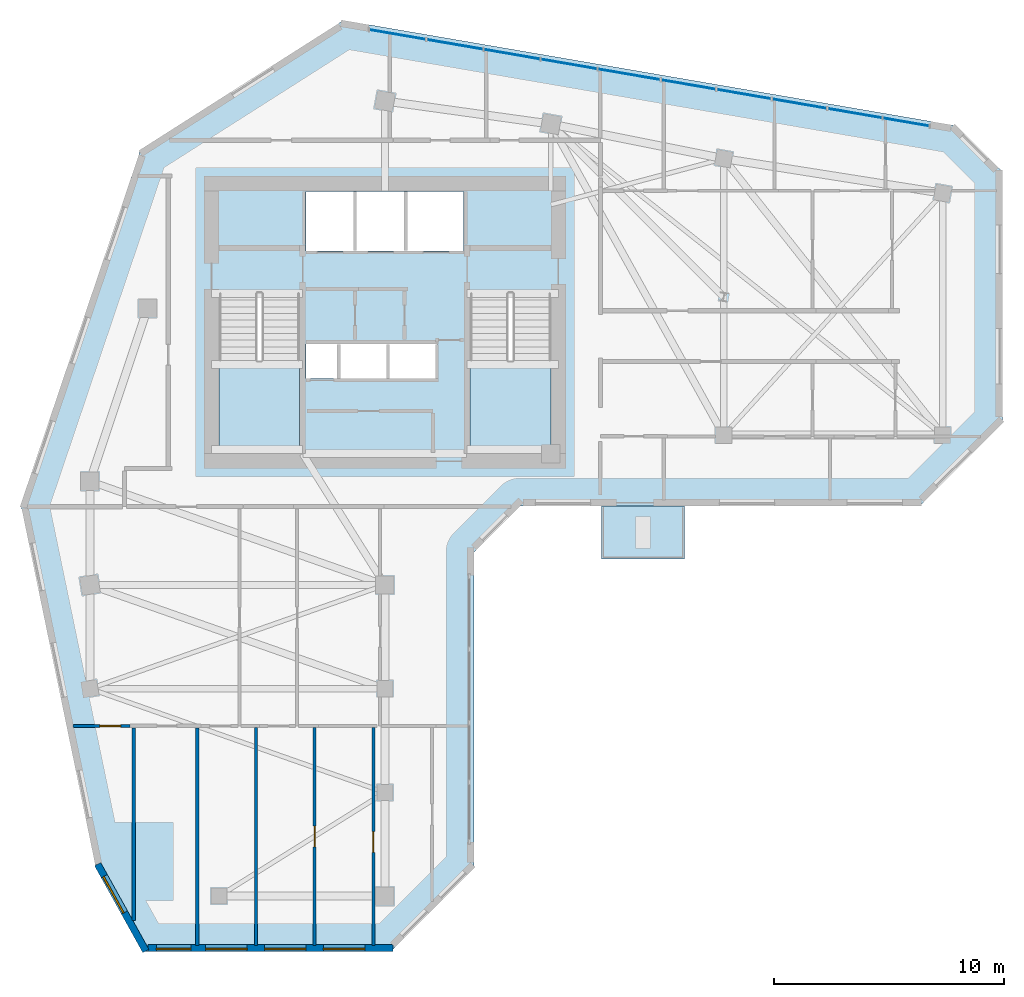
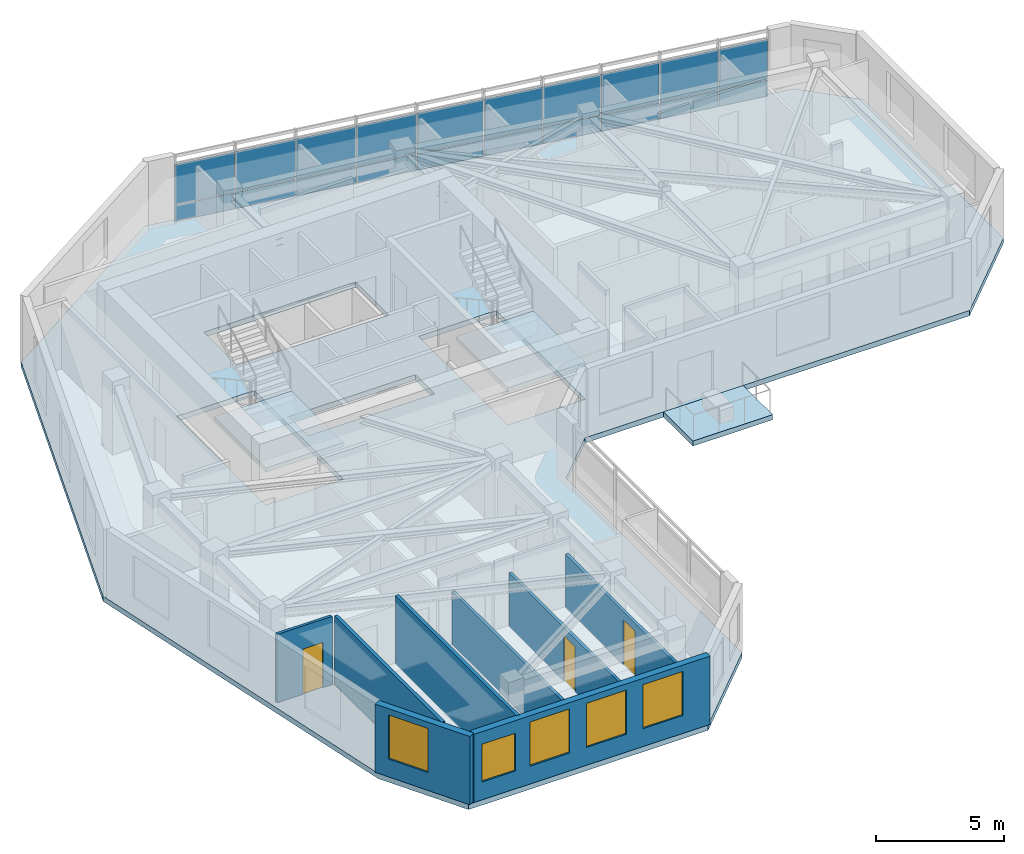
# One storey, part 4 of 11: 20 plates, 8 walls, 5 windows, 4 slabs, 3 doors, 8 openings, 3 elements without a shape of their own.
"""IFC4 building model written with IfcOpenShell, lengths in metres."""

from ifc_helpers import new_model, si_unit, direction, frame, frame_2d, origin, place, context, subcontext, project, spatial, polyline, rectangle, outline, extrude, source, transform, mapped, material, layer, layer_set, type_object, element, fill, aggregate, save


model = new_model("IFC4")

# Units and contexts
model_context = context("Model", 3, precision=1e-05, world=origin(), true_north=direction((0.0, 1.0)))
body_context = subcontext(model_context, "Body", "Model", "MODEL_VIEW")
ifc_project = project(units=[si_unit("LENGTHUNIT", "METRE"), si_unit("AREAUNIT", "SQUARE_METRE"), si_unit("VOLUMEUNIT", "CUBIC_METRE"), si_unit("PLANEANGLEUNIT", "RADIAN"), si_unit("MASSUNIT", "GRAM", prefix="KILO")], contexts=[model_context])

# Site, building, storey
site_placement = place(None, origin())
site = spatial("IfcSite", under=ifc_project, at=site_placement, CompositionType="ELEMENT")
building_placement = place(site_placement, origin())
building = spatial("IfcBuilding", under=site, at=building_placement, Name="Calvemar Wedge Station Tower", CompositionType="ELEMENT")
storey_placement = place(building_placement, frame((0.0, 0.0, 186.89990234375)))
storey = spatial("IfcBuildingStorey", under=building, at=storey_placement, Name="L46", CompositionType="ELEMENT", Elevation=186.89990234375)

# Curtain wall, plates
ifc_material_1 = material(Name="Anodised aluminium 6063-T6", Category="aluminium")
curtain_wall_type = type_object("IfcCurtainWallType", Name="CW3", PredefinedType="NOTDEFINED", material=ifc_material_1)
curtain_wall_placement = place(storey_placement, origin())
curtain_wall = element("IfcCurtainWall", 1, at=curtain_wall_placement, inside=storey, type_object=curtain_wall_type, Name="Storey L46 CW3 Recessed Unitised Curtain Wall 10", PredefinedType="NOTDEFINED")
ifc_material_2 = material(Name="Low-E laminated insulated glass", Category="glass")
ifc_layer_1 = layer(ifc_material_2, 0.028076171875)
ifc_layer_set_1 = layer_set([ifc_layer_1], Name="Low-E laminated insulated glass")
plate_type_1 = type_object("IfcPlateType", Name="CW3-GLZ", PredefinedType="CURTAIN_PANEL", material=ifc_layer_set_1)
plate_1_placement = place(storey_placement, frame((47.415771484375, 48.414794921875, 0.8701171875), z_axis=(0.0, 0.0, 1.0), x_axis=(-0.985540432015, 0.169440422758, 0.0)))
plate_1 = element("IfcPlate", 2, at=plate_1_placement, type_object=plate_type_1, Name="CW3 vision glass panel 1", PredefinedType="CURTAIN_PANEL", context=body_context, shape_type="SweptSolid", body=[
    extrude(rectangle(XDim=2.032958984375, YDim=0.028076171875, at=frame_2d((1.0166015625, 0.0))), origin(), (0.0, 0.0, 1.0), 1.909912109375),
])
plate_2_placement = place(storey_placement, frame((45.376708984375, 48.765380859375, 0.8701171875), z_axis=(0.0, 0.0, 1.0), x_axis=(-0.985524518475, 0.169532956928, 0.0)))
plate_2 = element("IfcPlate", 3, at=plate_2_placement, type_object=plate_type_1, Name="CW3 vision glass panel 2", PredefinedType="CURTAIN_PANEL", context=body_context, shape_type="SweptSolid", body=[
    extrude(rectangle(XDim=2.405029296875, YDim=0.028076171875, at=frame_2d((1.20263671875, 0.0))), origin(), (0.0, 0.0, 1.0), 1.909912109375),
])
plate_3_placement = place(storey_placement, frame((42.970947265625, 49.17919921875, 0.8701171875), z_axis=(0.0, 0.0, 1.0), x_axis=(-0.985521600301, 0.169549919904, 0.0)))
plate_3 = element("IfcPlate", 4, at=plate_3_placement, type_object=plate_type_1, Name="CW3 vision glass panel 3", PredefinedType="CURTAIN_PANEL", context=body_context, shape_type="SweptSolid", body=[
    extrude(rectangle(XDim=2.40478515625, YDim=0.028076171875, at=frame_2d((1.202392578125, 0.0))), origin(), (0.0, 0.0, 1.0), 1.909912109375),
])
plate_4_placement = place(storey_placement, frame((40.565673828125, 49.593017578125, 0.8701171875), z_axis=(0.0, 0.0, 1.0), x_axis=(-0.985513392938, 0.169597618908, 0.0)))
plate_4 = element("IfcPlate", 5, at=plate_4_placement, type_object=plate_type_1, Name="CW3 vision glass panel 4", PredefinedType="CURTAIN_PANEL", context=body_context, shape_type="SweptSolid", body=[
    extrude(rectangle(XDim=2.405517578125, YDim=0.028076171875, at=frame_2d((1.20263671875, 0.0))), origin(), (0.0, 0.0, 1.0), 1.909912109375),
])
plate_5_placement = place(storey_placement, frame((38.15966796875, 50.007080078125, 0.8701171875), z_axis=(0.0, 0.0, 1.0), x_axis=(-0.985530352195, 0.169499041006, 0.0)))
plate_5 = element("IfcPlate", 6, at=plate_5_placement, type_object=plate_type_1, Name="CW3 vision glass panel 5", PredefinedType="CURTAIN_PANEL", context=body_context, shape_type="SweptSolid", body=[
    extrude(rectangle(XDim=2.405517578125, YDim=0.028076171875, at=frame_2d((1.20263671875, 0.0))), origin(), (0.0, 0.0, 1.0), 1.909912109375),
])
plate_6_placement = place(storey_placement, frame((35.753662109375, 50.4208984375, 0.8701171875), z_axis=(0.0, 0.0, 1.0), x_axis=(-0.985520439195, 0.169556668781, 0.0)))
plate_6 = element("IfcPlate", 7, at=plate_6_placement, type_object=plate_type_1, Name="CW3 vision glass panel 6", PredefinedType="CURTAIN_PANEL", context=body_context, shape_type="SweptSolid", body=[
    extrude(rectangle(XDim=2.75439453125, YDim=0.028076171875, at=frame_2d((1.377197265625, 0.0))), origin(), (0.0, 0.0, 1.0), 1.909912109375),
])
plate_7_placement = place(storey_placement, frame((33.003662109375, 50.89404296875, 0.8701171875), z_axis=(0.0, 0.0, 1.0), x_axis=(-0.985522121529, 0.169546890203, 0.0)))
plate_7 = element("IfcPlate", 8, at=plate_7_placement, type_object=plate_type_1, Name="CW3 vision glass panel 7", PredefinedType="CURTAIN_PANEL", context=body_context, shape_type="SweptSolid", body=[
    extrude(rectangle(XDim=2.475341796875, YDim=0.028076171875, at=frame_2d((1.23779296875, 0.0))), origin(), (0.0, 0.0, 1.0), 1.909912109375),
])
plate_8_placement = place(storey_placement, frame((30.528564453125, 51.319580078125, 0.8701171875), z_axis=(0.0, 0.0, 1.0), x_axis=(-0.985505636657, 0.169642683652, 0.0)))
plate_8 = element("IfcPlate", 9, at=plate_8_placement, type_object=plate_type_1, Name="CW3 vision glass panel 8", PredefinedType="CURTAIN_PANEL", context=body_context, shape_type="SweptSolid", body=[
    extrude(rectangle(XDim=2.475341796875, YDim=0.028076171875, at=frame_2d((1.23779296875, 0.0))), origin(), (0.0, 0.0, 1.0), 1.909912109375),
])
plate_9_placement = place(storey_placement, frame((28.0537109375, 51.74560546875, 0.8701171875), z_axis=(0.0, 0.0, 1.0), x_axis=(-0.98553324407, 0.169482225713, 0.0)))
plate_9 = element("IfcPlate", 10, at=plate_9_placement, type_object=plate_type_1, Name="CW3 vision glass panel 9", PredefinedType="CURTAIN_PANEL", context=body_context, shape_type="SweptSolid", body=[
    extrude(rectangle(XDim=2.4833984375, YDim=0.028076171875, at=frame_2d((1.24169921875, 0.0))), origin(), (0.0, 0.0, 1.0), 1.909912109375),
])
plate_10_placement = place(storey_placement, frame((25.57080078125, 52.172607421875, 0.8701171875), z_axis=(0.0, 0.0, 1.0), x_axis=(-0.985516819371, 0.169577707074, 0.0)))
plate_10 = element("IfcPlate", 11, at=plate_10_placement, type_object=plate_type_1, Name="CW3 vision glass panel 10", PredefinedType="CURTAIN_PANEL", context=body_context, shape_type="SweptSolid", body=[
    extrude(rectangle(XDim=2.4833984375, YDim=0.028076171875, at=frame_2d((1.24169921875, 0.0))), origin(), (0.0, 0.0, 1.0), 1.909912109375),
])
ifc_material_3 = material(Name="Oxidized bronze aluminium spandrel panel 5005-H24", Category="aluminium")
ifc_layer_2 = layer(ifc_material_3, 0.0400390625)
ifc_layer_set_2 = layer_set([ifc_layer_2], Name="Oxidized bronze aluminium spandrel panel 5005-H24")
plate_type_2 = type_object("IfcPlateType", Name="CW3-SPD", PredefinedType="SHEET", material=ifc_layer_set_2)
plate_11_placement = place(storey_placement, frame((47.415771484375, 48.414794921875, 0.080078125), z_axis=(0.0, 0.0, 1.0), x_axis=(-0.985540432015, 0.169440422758, 0.0)))
plate_11 = element("IfcPlate", 12, at=plate_11_placement, type_object=plate_type_2, Name="CW3 bronze spandrel panel 1", PredefinedType="SHEET", context=body_context, shape_type="SweptSolid", body=[
    extrude(rectangle(XDim=2.032958984375, YDim=0.0400390625, at=frame_2d((1.0166015625, 0.0))), origin(), (0.0, 0.0, 1.0), 0.75),
])
plate_12_placement = place(storey_placement, frame((45.376708984375, 48.765380859375, 0.080078125), z_axis=(0.0, 0.0, 1.0), x_axis=(-0.985524518475, 0.169532956928, 0.0)))
plate_12 = element("IfcPlate", 13, at=plate_12_placement, type_object=plate_type_2, Name="CW3 bronze spandrel panel 2", PredefinedType="SHEET", context=body_context, shape_type="SweptSolid", body=[
    extrude(rectangle(XDim=2.405029296875, YDim=0.0400390625, at=frame_2d((1.20263671875, 0.0))), origin(), (0.0, 0.0, 1.0), 0.75),
])
plate_13_placement = place(storey_placement, frame((42.970947265625, 49.17919921875, 0.080078125), z_axis=(0.0, 0.0, 1.0), x_axis=(-0.985521600301, 0.169549919904, 0.0)))
plate_13 = element("IfcPlate", 14, at=plate_13_placement, type_object=plate_type_2, Name="CW3 bronze spandrel panel 3", PredefinedType="SHEET", context=body_context, shape_type="SweptSolid", body=[
    extrude(rectangle(XDim=2.40478515625, YDim=0.0400390625, at=frame_2d((1.202392578125, 0.0))), origin(), (0.0, 0.0, 1.0), 0.75),
])
plate_14_placement = place(storey_placement, frame((40.565673828125, 49.593017578125, 0.080078125), z_axis=(0.0, 0.0, 1.0), x_axis=(-0.985513392938, 0.169597618908, 0.0)))
plate_14 = element("IfcPlate", 15, at=plate_14_placement, type_object=plate_type_2, Name="CW3 bronze spandrel panel 4", PredefinedType="SHEET", context=body_context, shape_type="SweptSolid", body=[
    extrude(rectangle(XDim=2.405517578125, YDim=0.0400390625, at=frame_2d((1.20263671875, 0.0))), origin(), (0.0, 0.0, 1.0), 0.75),
])
plate_15_placement = place(storey_placement, frame((38.15966796875, 50.007080078125, 0.080078125), z_axis=(0.0, 0.0, 1.0), x_axis=(-0.985530352195, 0.169499041006, 0.0)))
plate_15 = element("IfcPlate", 16, at=plate_15_placement, type_object=plate_type_2, Name="CW3 bronze spandrel panel 5", PredefinedType="SHEET", context=body_context, shape_type="SweptSolid", body=[
    extrude(rectangle(XDim=2.405517578125, YDim=0.0400390625, at=frame_2d((1.20263671875, 0.0))), origin(), (0.0, 0.0, 1.0), 0.75),
])
plate_16_placement = place(storey_placement, frame((35.753662109375, 50.4208984375, 0.080078125), z_axis=(0.0, 0.0, 1.0), x_axis=(-0.985520439195, 0.169556668781, 0.0)))
plate_16 = element("IfcPlate", 17, at=plate_16_placement, type_object=plate_type_2, Name="CW3 bronze spandrel panel 6", PredefinedType="SHEET", context=body_context, shape_type="SweptSolid", body=[
    extrude(rectangle(XDim=2.75439453125, YDim=0.0400390625, at=frame_2d((1.377197265625, 0.0))), origin(), (0.0, 0.0, 1.0), 0.75),
])
plate_17_placement = place(storey_placement, frame((33.003662109375, 50.89404296875, 0.080078125), z_axis=(0.0, 0.0, 1.0), x_axis=(-0.985522121529, 0.169546890203, 0.0)))
plate_17 = element("IfcPlate", 18, at=plate_17_placement, type_object=plate_type_2, Name="CW3 bronze spandrel panel 7", PredefinedType="SHEET", context=body_context, shape_type="SweptSolid", body=[
    extrude(rectangle(XDim=2.475341796875, YDim=0.0400390625, at=frame_2d((1.23779296875, 0.0))), origin(), (0.0, 0.0, 1.0), 0.75),
])
plate_18_placement = place(storey_placement, frame((30.528564453125, 51.319580078125, 0.080078125), z_axis=(0.0, 0.0, 1.0), x_axis=(-0.985505636657, 0.169642683652, 0.0)))
plate_18 = element("IfcPlate", 19, at=plate_18_placement, type_object=plate_type_2, Name="CW3 bronze spandrel panel 8", PredefinedType="SHEET", context=body_context, shape_type="SweptSolid", body=[
    extrude(rectangle(XDim=2.475341796875, YDim=0.0400390625, at=frame_2d((1.23779296875, 0.0))), origin(), (0.0, 0.0, 1.0), 0.75),
])
plate_19_placement = place(storey_placement, frame((28.0537109375, 51.74560546875, 0.080078125), z_axis=(0.0, 0.0, 1.0), x_axis=(-0.98553324407, 0.169482225713, 0.0)))
plate_19 = element("IfcPlate", 20, at=plate_19_placement, type_object=plate_type_2, Name="CW3 bronze spandrel panel 9", PredefinedType="SHEET", context=body_context, shape_type="SweptSolid", body=[
    extrude(rectangle(XDim=2.4833984375, YDim=0.0400390625, at=frame_2d((1.24169921875, 0.0))), origin(), (0.0, 0.0, 1.0), 0.75),
])
plate_20_placement = place(storey_placement, frame((25.57080078125, 52.172607421875, 0.080078125), z_axis=(0.0, 0.0, 1.0), x_axis=(-0.985516819371, 0.169577707074, 0.0)))
plate_20 = element("IfcPlate", 21, at=plate_20_placement, type_object=plate_type_2, Name="CW3 bronze spandrel panel 10", PredefinedType="SHEET", context=body_context, shape_type="SweptSolid", body=[
    extrude(rectangle(XDim=2.4833984375, YDim=0.0400390625, at=frame_2d((1.24169921875, 0.0))), origin(), (0.0, 0.0, 1.0), 0.75),
])
aggregate(curtain_wall, [plate_11, plate_1, plate_12, plate_2, plate_13, plate_3, plate_14, plate_4, plate_15, plate_5, plate_16, plate_6, plate_17, plate_7, plate_18, plate_8, plate_19, plate_9, plate_20, plate_10])

# Stair, slab
ifc_material_4 = material(Name="Concrete C45", Category="concrete")
stair_type = type_object("IfcStairType", Name="ST-TYPE-3500", PredefinedType="HALF_TURN_STAIR", material=ifc_material_4)
stair_1_placement = place(storey_placement, origin())
stair_1 = element("IfcStair", 22, at=stair_1_placement, inside=storey, type_object=stair_type, Name="L46 Pressurized Core Exit Stair ST-C1", PredefinedType="HALF_TURN_STAIR")
ifc_layer_3 = layer(ifc_material_4, 0.199951171875)
ifc_layer_set_3 = layer_set([ifc_layer_3], Name="Concrete C45")
slab_type_1 = type_object("IfcSlabType", Name="SL-STAIR-LND-200", PredefinedType="LANDING", material=ifc_layer_set_3)
slab_1_placement = place(storey_placement, frame((0.0, 0.0, 1.550048828125)))
slab_1 = element("IfcSlab", 23, at=slab_1_placement, type_object=slab_type_1, Name="ST-C1 landing 1", PredefinedType="LANDING", context=body_context, shape_type="SweptSolid", body=[
    extrude(outline(polyline([(16.60009765625, 38.25), (16.60009765625, 34.199951171875), (20.10009765625, 34.199951171875), (20.10009765625, 38.25), (16.60009765625, 38.25)])), origin(), (0.0, 0.0, 1.0), 0.199951171875),
])
aggregate(stair_1, [slab_1])

stair_2_placement = place(storey_placement, origin())
stair_2 = element("IfcStair", 24, at=stair_2_placement, inside=storey, type_object=stair_type, Name="L46 Pressurized Core Exit Stair ST-C2", PredefinedType="HALF_TURN_STAIR")
slab_2_placement = place(storey_placement, frame((0.0, 0.0, 1.550048828125)))
slab_2 = element("IfcSlab", 25, at=slab_2_placement, type_object=slab_type_1, Name="ST-C2 landing 1", PredefinedType="LANDING", context=body_context, shape_type="SweptSolid", body=[
    extrude(outline(polyline([(27.5, 38.25), (27.5, 34.199951171875), (31.0, 34.199951171875), (31.0, 38.25), (27.5, 38.25)])), origin(), (0.0, 0.0, 1.0), 0.199951171875),
])
aggregate(stair_2, [slab_2])

# Slabs
ifc_layer_4 = layer(ifc_material_4, 0.239990234375)
ifc_layer_set_4 = layer_set([ifc_layer_4], Name="Concrete C45")
slab_type_2 = type_object("IfcSlabType", Name="SL-TERR-240", PredefinedType="FLOOR", material=ifc_layer_set_4)
slab_3_placement = place(storey_placement, frame((0.0, 0.0, -0.239990234375)))
element("IfcSlab", 26, at=slab_3_placement, inside=storey, type_object=slab_type_2, Name="Storey L46 Planted Spiral Terrace Slab", PredefinedType="FLOOR", context=body_context, shape_type="SweptSolid", body=[
    extrude(outline(polyline([(33.199951171875, 31.924072265625), (33.199951171875, 29.6240234375), (36.800048828125, 29.6240234375), (36.800048828125, 31.924072265625), (33.199951171875, 31.924072265625)])), origin(), (0.0, 0.0, 1.0), 0.239990234375),
])
ifc_material_5 = material(Name="Concrete C50", Category="concrete")
ifc_layer_5 = layer(ifc_material_5, 0.25)
ifc_layer_set_5 = layer_set([ifc_layer_5], Name="Concrete C50")
slab_type_3 = type_object("IfcSlabType", Name="SL-TYP-250", PredefinedType="FLOOR", material=ifc_layer_set_5)
slab_4_placement = place(storey_placement, frame((0.0, 0.0, -0.25)))
element("IfcSlab", 27, at=slab_4_placement, inside=storey, type_object=slab_type_3, Name="Storey L46 Structural Floor Slab", PredefinedType="FLOOR", context=body_context, shape_type="SweptSolid", body=[
    extrude(outline(polyline([(8.0, 32.0), (11.263916015625, 16.199951171875), (13.263916015625, 12.60009765625), (24.06396484375, 12.60009765625), (27.6640625, 16.199951171875), (27.6640625, 29.924072265625), (29.6640625, 31.924072265625), (47.0, 31.924072265625), (50.60009765625, 35.52392578125), (50.60009765625, 46.424072265625), (48.60009765625, 48.424072265625), (22.0, 53.0), (13.199951171875, 47.39990234375), (8.0, 32.0)]), holes=[polyline([(20.10009765625, 34.199951171875), (20.10009765625, 41.14990234375), (16.60009765625, 41.14990234375), (16.60009765625, 34.199951171875), (20.10009765625, 34.199951171875)]), polyline([(27.5, 34.199951171875), (31.0, 34.199951171875), (31.0, 41.14990234375), (27.5, 41.14990234375), (27.5, 34.199951171875)]), polyline([(21.800048828125, 37.449951171875), (23.929931640625, 37.449951171875), (23.93994140625, 37.449951171875), (26.080078125, 37.449951171875), (26.080078125, 38.949951171875), (23.93994140625, 38.949951171875), (23.929931640625, 38.949951171875), (21.800048828125, 38.949951171875), (21.7900390625, 38.949951171875), (20.3798828125, 38.949951171875), (20.3798828125, 37.449951171875), (21.7900390625, 37.449951171875), (21.800048828125, 37.449951171875)]), polyline([(27.219970703125, 43.0), (27.219970703125, 45.580078125), (20.3798828125, 45.580078125), (20.3798828125, 43.0), (27.219970703125, 43.0)])]), origin(), (0.0, 0.0, 1.0), 0.25),
])

# Wall, opening, window
ifc_material_6 = material(Name="Precast concrete C45", Category="concrete")
ifc_layer_6 = layer(ifc_material_6, 0.300048828125)
ifc_layer_set_6 = layer_set([ifc_layer_6], Name="Precast concrete C45")
wall_type_1 = type_object("IfcWallType", Name="W-EXT-GFRC-300", PredefinedType="SOLIDWALL", material=ifc_layer_set_6)
wall_1_placement = place(storey_placement, frame((11.33349609375, 16.3837890625, 0.0), z_axis=(0.0, 0.0, 1.0), x_axis=(0.485633305139, -0.874162623852, 0.0)))
wall_1 = element("IfcWall", 28, at=wall_1_placement, inside=storey, type_object=wall_type_1, Name="Storey L46 Bronze GFRC Exterior Wall 1", PredefinedType="SOLIDWALL", context=body_context, shape_type="SweptSolid", body=[
    extrude(rectangle(XDim=4.306884765625, YDim=0.300048828125, at=frame_2d((2.1533203125, 0.0))), origin(), (0.0, 0.0, 1.0), 3.25),
])
shared_shape_1 = source(origin(), body_context, "Body", "SweptSolid", [
    extrude(rectangle(XDim=1.800048828125, YDim=2.10009765625, at=frame_2d((0.89990234375, 1.050048828125))), frame((0.0, 0.16015625, 0.0), z_axis=(0.0, -1.0, 0.0), x_axis=(1.0, 0.0, 0.0)), (0.0, 0.0, 1.0), 0.320068359375),
])
opening_1_placement = place(wall_1_placement, frame((0.595947265625, 0.0, 0.85009765625)))
opening_1 = element("IfcOpeningElement", 29, at=opening_1_placement, cuts=wall_1, Name="Opening W2", PredefinedType="OPENING", context=body_context, shape_type="MappedRepresentation", body=[
    mapped(shared_shape_1, transform((0.0, 0.0, 0.0), scale=1.0)),
])
window_type_1 = type_object("IfcWindowType", Name="WIN-EXT-2", PartitioningType="SINGLE_PANEL", PredefinedType="WINDOW", material=ifc_material_2)
shared_shape_2 = source(origin(), body_context, "Body", "SweptSolid", [
    extrude(rectangle(XDim=1.800048828125, YDim=2.10009765625, at=frame_2d((0.89990234375, 1.050048828125))), frame((0.0, -0.014892578125, 0.0), z_axis=(0.0, -1.0, 0.0), x_axis=(1.0, 0.0, 0.0)), (0.0, 0.0, 1.0), 0.06005859375),
])
window_1_placement = place(opening_1_placement, origin())
window_1 = element("IfcWindow", 30, at=window_1_placement, inside=storey, type_object=window_type_1, Name="Storey L46 Recessed Window 1.1", OverallHeight=2.10009765625, OverallWidth=1.800048828125, PartitioningType="SINGLE_PANEL", PredefinedType="WINDOW", context=body_context, shape_type="MappedRepresentation", body=[
    mapped(shared_shape_2, transform((0.0, 0.0, 0.0), scale=1.0)),
])
fill(opening_1, window_1)

# Wall, openings, windows
wall_2_placement = place(storey_placement, frame((13.510009765625, 12.75, 0.0), z_axis=(0.0, 0.0, 1.0), x_axis=(1.0, 0.0, 0.0)))
wall_2 = element("IfcWall", 31, at=wall_2_placement, inside=storey, type_object=wall_type_1, Name="Storey L46 Bronze GFRC Exterior Wall 2", PredefinedType="SOLIDWALL", context=body_context, shape_type="SweptSolid", body=[
    extrude(rectangle(XDim=10.641845703125, YDim=0.300048828125, at=frame_2d((5.32080078125, 0.0))), origin(), (0.0, 0.0, 1.0), 3.25),
])
shared_shape_3 = source(origin(), body_context, "Body", "SweptSolid", [
    extrude(rectangle(XDim=1.5, YDim=1.800048828125, at=frame_2d((0.75, 0.89990234375))), frame((0.0, 0.16015625, 0.0), z_axis=(0.0, -1.0, 0.0), x_axis=(1.0, 0.0, 0.0)), (0.0, 0.0, 1.0), 0.320068359375),
])
opening_2_placement = place(wall_2_placement, frame((0.3701171875, 0.0, 0.85009765625)))
opening_2 = element("IfcOpeningElement", 32, at=opening_2_placement, cuts=wall_2, Name="Opening W3", PredefinedType="OPENING", context=body_context, shape_type="MappedRepresentation", body=[
    mapped(shared_shape_3, transform((0.0, 0.0, 0.0), scale=1.0)),
])
opening_3_placement = place(wall_2_placement, frame((2.514892578125, 0.0, 0.85009765625)))
opening_3 = element("IfcOpeningElement", 33, at=opening_3_placement, cuts=wall_2, Name="Opening W2", PredefinedType="OPENING", context=body_context, shape_type="MappedRepresentation", body=[
    mapped(shared_shape_1, transform((0.0, 0.0, 0.0), scale=1.0)),
])
opening_4_placement = place(wall_2_placement, frame((5.06494140625, 0.0, 0.85009765625)))
opening_4 = element("IfcOpeningElement", 34, at=opening_4_placement, cuts=wall_2, Name="Opening W2", PredefinedType="OPENING", context=body_context, shape_type="MappedRepresentation", body=[
    mapped(shared_shape_1, transform((0.0, 0.0, 0.0), scale=1.0)),
])
opening_5_placement = place(wall_2_placement, frame((7.614990234375, 0.0, 0.85009765625)))
opening_5 = element("IfcOpeningElement", 35, at=opening_5_placement, cuts=wall_2, Name="Opening W2", PredefinedType="OPENING", context=body_context, shape_type="MappedRepresentation", body=[
    mapped(shared_shape_1, transform((0.0, 0.0, 0.0), scale=1.0)),
])
window_2_placement = place(opening_3_placement, origin())
window_2 = element("IfcWindow", 36, at=window_2_placement, inside=storey, type_object=window_type_1, Name="Storey L46 Recessed Window 2.2", OverallHeight=2.10009765625, OverallWidth=1.800048828125, PartitioningType="SINGLE_PANEL", PredefinedType="WINDOW", context=body_context, shape_type="MappedRepresentation", body=[
    mapped(shared_shape_2, transform((0.0, 0.0, 0.0), scale=1.0)),
])
fill(opening_3, window_2)
window_3_placement = place(opening_4_placement, origin())
window_3 = element("IfcWindow", 37, at=window_3_placement, inside=storey, type_object=window_type_1, Name="Storey L46 Recessed Window 2.3", OverallHeight=2.10009765625, OverallWidth=1.800048828125, PartitioningType="SINGLE_PANEL", PredefinedType="WINDOW", context=body_context, shape_type="MappedRepresentation", body=[
    mapped(shared_shape_2, transform((0.0, 0.0, 0.0), scale=1.0)),
])
fill(opening_4, window_3)
window_4_placement = place(opening_5_placement, origin())
window_4 = element("IfcWindow", 38, at=window_4_placement, inside=storey, type_object=window_type_1, Name="Storey L46 Recessed Window 2.4", OverallHeight=2.10009765625, OverallWidth=1.800048828125, PartitioningType="SINGLE_PANEL", PredefinedType="WINDOW", context=body_context, shape_type="MappedRepresentation", body=[
    mapped(shared_shape_2, transform((0.0, 0.0, 0.0), scale=1.0)),
])
fill(opening_5, window_4)
window_type_2 = type_object("IfcWindowType", Name="WIN-EXT-3", PartitioningType="SINGLE_PANEL", PredefinedType="WINDOW", material=ifc_material_2)
shared_shape_4 = source(origin(), body_context, "Body", "SweptSolid", [
    extrude(rectangle(XDim=1.5, YDim=1.800048828125, at=frame_2d((0.75, 0.89990234375))), frame((0.0, -0.014892578125, 0.0), z_axis=(0.0, -1.0, 0.0), x_axis=(1.0, 0.0, 0.0)), (0.0, 0.0, 1.0), 0.06005859375),
])
window_5_placement = place(opening_2_placement, origin())
window_5 = element("IfcWindow", 39, at=window_5_placement, inside=storey, type_object=window_type_2, Name="Storey L46 Recessed Window 2.1", OverallHeight=1.800048828125, OverallWidth=1.5, PartitioningType="SINGLE_PANEL", PredefinedType="WINDOW", context=body_context, shape_type="MappedRepresentation", body=[
    mapped(shared_shape_4, transform((0.0, 0.0, 0.0), scale=1.0)),
])
fill(opening_2, window_5)

# Wall, opening, door
ifc_material_7 = material(Name="Insulated acoustic gypsum stud partition")
ifc_layer_7 = layer(ifc_material_7, 0.125)
ifc_layer_set_7 = layer_set([ifc_layer_7], Name="Insulated acoustic gypsum stud partition")
wall_type_2 = type_object("IfcWallType", Name="W-PART-125", PredefinedType="PARTITIONING", material=ifc_layer_set_7)
wall_3_placement = place(storey_placement, frame((12.738037109375, 22.383056640625, 0.0), z_axis=(0.0, 0.0, 1.0), x_axis=(-1.0, 0.0, 0.0)))
wall_3 = element("IfcWall", 40, at=wall_3_placement, inside=storey, type_object=wall_type_2, Name="Storey L46 Interior Partition WL-L46-060", PredefinedType="PARTITIONING", context=body_context, shape_type="SweptSolid", body=[
    extrude(rectangle(XDim=2.480712890625, YDim=0.125, at=frame_2d((1.240234375, 0.0))), origin(), (0.0, 0.0, 1.0), 3.25),
])
shared_shape_5 = source(origin(), body_context, "Body", "SweptSolid", [
    extrude(rectangle(XDim=0.89990234375, YDim=2.14990234375, at=frame_2d((0.449951171875, 1.074951171875))), frame((0.0, 0.072509765625, 0.0), z_axis=(0.0, -1.0, 0.0), x_axis=(1.0, 0.0, 0.0)), (0.0, 0.0, 1.0), 0.14501953125),
])
opening_6_placement = place(wall_3_placement, frame((0.40771484375, 0.0, 0.0)))
opening_6 = element("IfcOpeningElement", 41, at=opening_6_placement, cuts=wall_3, Name="Opening D-01", PredefinedType="OPENING", context=body_context, shape_type="MappedRepresentation", body=[
    mapped(shared_shape_5, transform((0.0, 0.0, 0.0), scale=1.0)),
])
ifc_material_8 = material(Name="Architectural hardwood acoustic swing door", Category="wood")
door_type = type_object("IfcDoorType", Name="DR-INT-900", OperationType="NOTDEFINED", PredefinedType="DOOR", material=ifc_material_8)
shared_shape_6 = source(origin(), body_context, "Body", "SweptSolid", [
    extrude(rectangle(XDim=0.89990234375, YDim=2.14990234375, at=frame_2d((0.449951171875, 1.074951171875))), frame((0.0, 0.02490234375, 0.0), z_axis=(0.0, -1.0, 0.0), x_axis=(1.0, 0.0, 0.0)), (0.0, 0.0, 1.0), 0.050048828125),
])
door_1_placement = place(opening_6_placement, origin())
door_1 = element("IfcDoor", 42, at=door_1_placement, inside=storey, type_object=door_type, Name="L46 Bedroom Door", OperationType="SINGLE_SWING_RIGHT", OverallHeight=2.14990234375, OverallWidth=0.89990234375, PredefinedType="DOOR", context=body_context, shape_type="MappedRepresentation", body=[
    mapped(shared_shape_6, transform((0.0, 0.0, 0.0), scale=1.0)),
])
fill(opening_6, door_1)

# Wall
wall_4_placement = place(storey_placement, frame((18.199951171875, 22.31640625, 0.0), z_axis=(0.0, 0.0, 1.0), x_axis=(0.0, -1.0, 0.0)))
element("IfcWall", 43, at=wall_4_placement, inside=storey, type_object=wall_type_2, Name="Storey L46 Interior Partition WL-L46-066", PredefinedType="PARTITIONING", context=body_context, shape_type="SweptSolid", body=[
    extrude(rectangle(XDim=9.451416015625, YDim=0.125, at=frame_2d((4.7255859375, 0.0))), origin(), (0.0, 0.0, 1.0), 2.5419921875),
])

# Wall, opening, door
wall_5_placement = place(storey_placement, frame((20.75, 22.31640625, 0.0), z_axis=(0.0, 0.0, 1.0), x_axis=(0.0, -1.0, 0.0)))
wall_5 = element("IfcWall", 44, at=wall_5_placement, inside=storey, type_object=wall_type_2, Name="Storey L46 Interior Partition WL-L46-067", PredefinedType="PARTITIONING", context=body_context, shape_type="SweptSolid", body=[
    extrude(rectangle(XDim=9.451416015625, YDim=0.125, at=frame_2d((4.7255859375, 0.0))), origin(), (0.0, 0.0, 1.0), 2.5419921875),
])
opening_7_placement = place(wall_5_placement, frame((4.27587890625, 0.0, 0.0)))
opening_7 = element("IfcOpeningElement", 45, at=opening_7_placement, cuts=wall_5, Name="Opening D-01", PredefinedType="OPENING", context=body_context, shape_type="MappedRepresentation", body=[
    mapped(shared_shape_5, transform((0.0, 0.0, 0.0), scale=1.0)),
])
door_2_placement = place(opening_7_placement, origin())
door_2 = element("IfcDoor", 46, at=door_2_placement, inside=storey, type_object=door_type, Name="L46 Bedroom Door", OperationType="SINGLE_SWING_LEFT", OverallHeight=2.14990234375, OverallWidth=0.89990234375, PredefinedType="DOOR", context=body_context, shape_type="MappedRepresentation", body=[
    mapped(shared_shape_6, transform((0.0, 0.0, 0.0), scale=1.0)),
])
fill(opening_7, door_2)

wall_6_placement = place(storey_placement, frame((23.300048828125, 22.31640625, 0.0), z_axis=(0.0, 0.0, 1.0), x_axis=(0.0, -1.0, 0.0)))
wall_6 = element("IfcWall", 47, at=wall_6_placement, inside=storey, type_object=wall_type_2, Name="Storey L46 Interior Partition WL-L46-068", PredefinedType="PARTITIONING", context=body_context, shape_type="SweptSolid", body=[
    extrude(rectangle(XDim=9.451416015625, YDim=0.125, at=frame_2d((4.7255859375, 0.0))), origin(), (0.0, 0.0, 1.0), 2.5419921875),
])
opening_8_placement = place(wall_6_placement, frame((4.517822265625, 0.0, 0.0)))
opening_8 = element("IfcOpeningElement", 48, at=opening_8_placement, cuts=wall_6, Name="Opening D-01", PredefinedType="OPENING", context=body_context, shape_type="MappedRepresentation", body=[
    mapped(shared_shape_5, transform((0.0, 0.0, 0.0), scale=1.0)),
])
door_3_placement = place(opening_8_placement, origin())
door_3 = element("IfcDoor", 49, at=door_3_placement, inside=storey, type_object=door_type, Name="L46 Bedroom Door", OperationType="SINGLE_SWING_RIGHT", OverallHeight=2.14990234375, OverallWidth=0.89990234375, PredefinedType="DOOR", context=body_context, shape_type="MappedRepresentation", body=[
    mapped(shared_shape_6, transform((0.0, 0.0, 0.0), scale=1.0)),
])
fill(opening_8, door_3)

# Walls
ifc_material_9 = material(Name="Moisture-resistant acoustic bathroom partition")
ifc_layer_8 = layer(ifc_material_9, 0.14990234375)
ifc_layer_set_8 = layer_set([ifc_layer_8], Name="Moisture-resistant acoustic bathroom partition")
wall_type_3 = type_object("IfcWallType", Name="W-WET-150", PredefinedType="PARTITIONING", material=ifc_layer_set_8)
wall_7_placement = place(storey_placement, frame((12.89990234375, 13.945068359375, 0.0), z_axis=(0.0, 0.0, 1.0), x_axis=(0.0, 1.0, 0.0)))
element("IfcWall", 50, at=wall_7_placement, inside=storey, type_object=wall_type_3, Name="Storey L46 Interior Partition WL-L46-064", PredefinedType="PARTITIONING", context=body_context, shape_type="SweptSolid", body=[
    extrude(rectangle(XDim=8.35888671875, YDim=0.14990234375, at=frame_2d((4.179443359375, 0.0))), origin(), (0.0, 0.0, 1.0), 3.25),
])
wall_8_placement = place(storey_placement, frame((15.64990234375, 22.303955078125, 0.0), z_axis=(0.0, 0.0, 1.0), x_axis=(0.0, -1.0, 0.0)))
element("IfcWall", 51, at=wall_8_placement, inside=storey, type_object=wall_type_3, Name="Storey L46 Interior Partition WL-L46-065", PredefinedType="PARTITIONING", context=body_context, shape_type="SweptSolid", body=[
    extrude(rectangle(XDim=9.43896484375, YDim=0.14990234375, at=frame_2d((4.719482421875, 0.0))), origin(), (0.0, 0.0, 1.0), 3.25),
])

save(model, "model.ifc")
